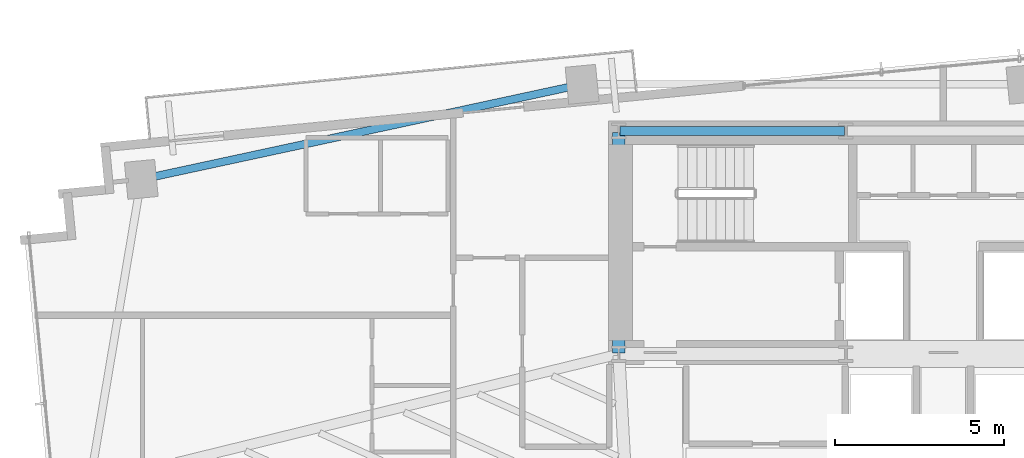
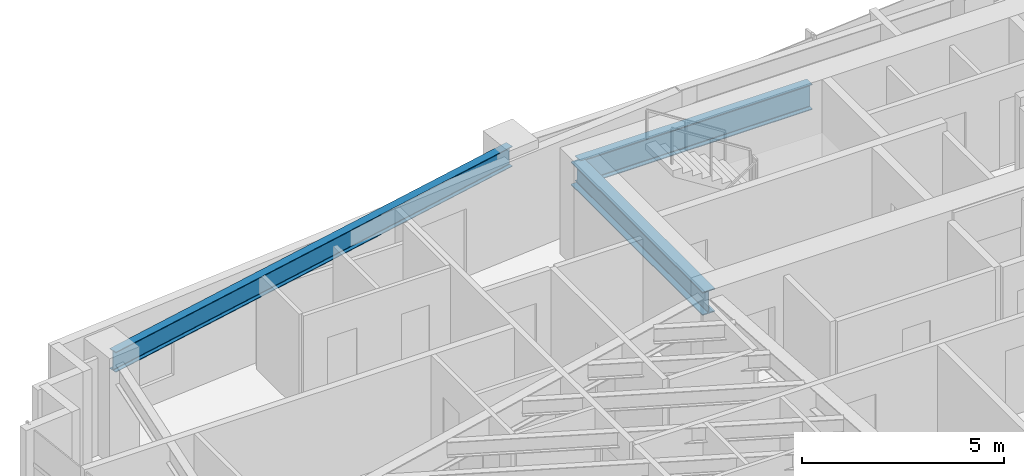
# One storey, part 9 of 27: 3 beams.
"""IFC4 building model written with IfcOpenShell, lengths in metres."""

from ifc_helpers import new_model, si_unit, direction, frame, origin, origin_2d, place, context, subcontext, project, spatial, i_section, extrude, source, transform, mapped, material, material_profile, profile_set, type_object, type_shapes, element, save


model = new_model("IFC4")

# Units and contexts
model_context = context("Model", 3, precision=1e-05, world=origin(), true_north=direction((0.0, 1.0)))
body_context = subcontext(model_context, "Body", "Model", "MODEL_VIEW")
ifc_project = project(units=[si_unit("LENGTHUNIT", "METRE"), si_unit("AREAUNIT", "SQUARE_METRE"), si_unit("VOLUMEUNIT", "CUBIC_METRE"), si_unit("PLANEANGLEUNIT", "RADIAN"), si_unit("MASSUNIT", "GRAM", prefix="KILO")], contexts=[model_context])

# Site, building, storey
site_placement = place(None, origin())
site = spatial("IfcSite", under=ifc_project, at=site_placement, CompositionType="ELEMENT")
building_placement = place(site_placement, origin())
building = spatial("IfcBuilding", under=site, at=building_placement, Name="Astriad Promenade Condominiums", CompositionType="ELEMENT")
storey_placement = place(building_placement, frame((0.0, 0.0, 109.800048828125)))
storey = spatial("IfcBuildingStorey", under=building, at=storey_placement, Name="L31", CompositionType="ELEMENT", Elevation=109.800048828125)

# Beams
ifc_material = material(Name="Steel ASTM A992 Grade 50", Category="steel")
ifc_material_profile_1 = material_profile(ifc_material, i_section(OverallWidth=0.267822265625, OverallDepth=0.76953125, WebThickness=0.015625, FlangeThickness=0.025390625, FilletRadius=0.021484375, at=origin_2d()), Name="W30X132")
ifc_profile_set_1 = profile_set([ifc_material_profile_1], Name="Steel ASTM A992 Grade 50")
beam_type_1 = type_object("IfcBeamType", Name="STEEL FLOOR GIRDER W30X132", PredefinedType="BEAM", material=ifc_profile_set_1)
shared_shape_1 = source(origin(), body_context, "Body", "SweptSolid", [
    extrude(i_section(OverallWidth=0.267822265625, OverallDepth=0.76953125, WebThickness=0.015625, FlangeThickness=0.025390625, FilletRadius=0.021484375, at=origin_2d()), origin(), (0.0, 0.0, 1.0), 6.64013671875),
])
type_shapes(beam_type_1, [shared_shape_1])
beam_1_placement = place(storey_placement, frame((26.43994140625, 24.0, 2.55517578125), z_axis=(1.0, 0.0, 0.0), x_axis=(0.0, 1.0, 0.0)))
element("IfcBeam", 1, at=beam_1_placement, inside=storey, type_object=beam_type_1, Name="Core Ring Beam CG-N1-L31", PredefinedType="BEAM", context=body_context, shape_type="MappedRepresentation", body=[
    mapped(shared_shape_1, transform((0.0, 0.0, 0.0), scale=1.0)),
])
ifc_material_profile_2 = material_profile(ifc_material, i_section(OverallWidth=0.35791015625, OverallDepth=0.706298828125, WebThickness=0.018310546875, FlangeThickness=0.0302734375, FilletRadius=0.020263671875, at=origin_2d()), Name="W27X178")
ifc_profile_set_2 = profile_set([ifc_material_profile_2], Name="Steel ASTM A992 Grade 50")
beam_type_2 = type_object("IfcBeamType", Name="STEEL FLOOR GIRDER W27X178", PredefinedType="BEAM", material=ifc_profile_set_2)
shared_shape_2 = source(origin(), body_context, "Body", "SweptSolid", [
    extrude(i_section(OverallWidth=0.35791015625, OverallDepth=0.706298828125, WebThickness=0.018310546875, FlangeThickness=0.0302734375, FilletRadius=0.020263671875, at=origin_2d()), origin(), (0.0, 0.0, 1.0), 6.52001953125),
])
type_shapes(beam_type_2, [shared_shape_2])
beam_2_placement = place(storey_placement, frame((26.39990234375, 17.43994140625, 2.586669921875), z_axis=(0.0, 1.0, 0.0), x_axis=(-1.0, 0.0, 0.0)))
element("IfcBeam", 2, at=beam_2_placement, inside=storey, type_object=beam_type_2, Name="Core Ring Beam CG-W1-L31", PredefinedType="BEAM", context=body_context, shape_type="MappedRepresentation", body=[
    mapped(shared_shape_2, transform((0.0, 0.0, 0.0), scale=1.0)),
])
ifc_material_profile_3 = material_profile(ifc_material, i_section(OverallWidth=0.22900390625, OverallDepth=0.612060546875, WebThickness=0.011962890625, FlangeThickness=0.01953125, FilletRadius=0.017822265625, at=origin_2d()), Name="W24X84")
ifc_profile_set_3 = profile_set([ifc_material_profile_3], Name="Steel ASTM A992 Grade 50")
beam_type_3 = type_object("IfcBeamType", Name="STEEL SPANDREL BEAM W24X84", PredefinedType="SPANDREL", material=ifc_profile_set_3)
shared_shape_3 = source(origin(), body_context, "Body", "SweptSolid", [
    extrude(i_section(OverallWidth=0.22900390625, OverallDepth=0.612060546875, WebThickness=0.011962890625, FlangeThickness=0.01953125, FilletRadius=0.017822265625, at=origin_2d()), origin(), (0.0, 0.0, 1.0), 13.25927734375),
])
type_shapes(beam_type_3, [shared_shape_3])
beam_3_placement = place(storey_placement, frame((25.27587890625, 25.37158203125, 2.6337890625), z_axis=(-0.977531608864, -0.210788884127, 0.0), x_axis=(0.210788884127, -0.977531608864, 0.0)))
element("IfcBeam", 3, at=beam_3_placement, inside=storey, type_object=beam_type_3, Name="Perimeter Spandrel Beam SP-N1-L31", PredefinedType="SPANDREL", context=body_context, shape_type="MappedRepresentation", body=[
    mapped(shared_shape_3, transform((0.0, 0.0, 0.0), scale=1.0)),
])

save(model, "model.ifc")
